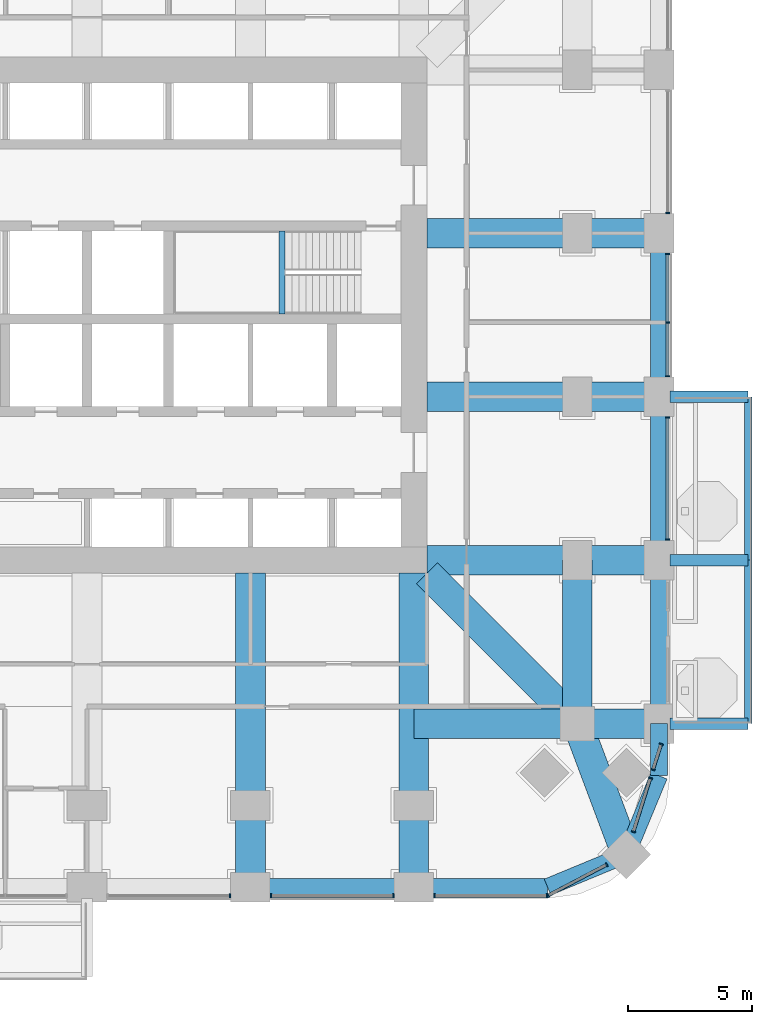
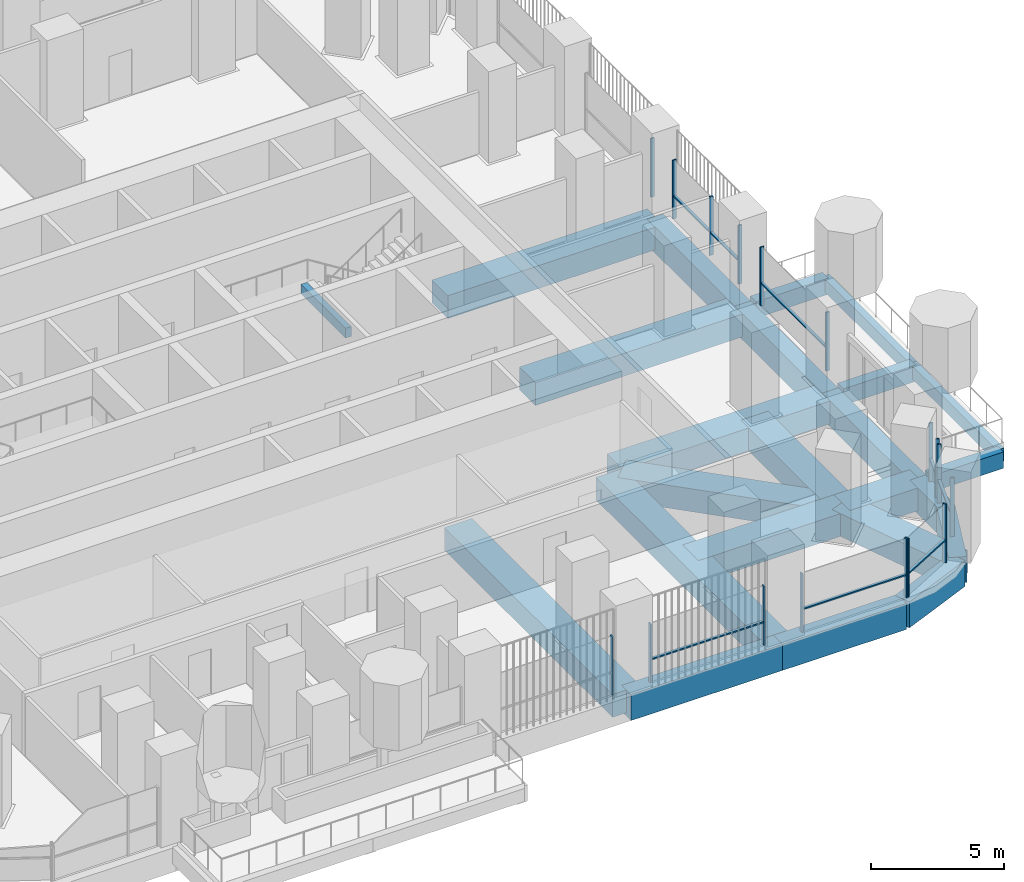
# One storey, part 5 of 21: 25 members, 24 beams, 9 elements without a shape of their own.
"""IFC4 building model written with IfcOpenShell, lengths in metres."""

from ifc_helpers import new_model, si_unit, direction, frame, origin, origin_2d, place, context, subcontext, project, spatial, rectangle, extrude, material, material_profile, profile_set, type_object, element, aggregate, save


model = new_model("IFC4")

# Units and contexts
model_context = context("Model", 3, precision=1e-05, world=origin(), true_north=direction((0.0, 1.0)))
body_context = subcontext(model_context, "Body", "Model", "MODEL_VIEW")
ifc_project = project(units=[si_unit("LENGTHUNIT", "METRE"), si_unit("AREAUNIT", "SQUARE_METRE"), si_unit("VOLUMEUNIT", "CUBIC_METRE"), si_unit("PLANEANGLEUNIT", "RADIAN"), si_unit("MASSUNIT", "GRAM", prefix="KILO")], contexts=[model_context])

# Site, building, storey
site_placement = place(None, origin())
site = spatial("IfcSite", under=ifc_project, at=site_placement, CompositionType="ELEMENT")
building_placement = place(site_placement, origin())
building = spatial("IfcBuilding", under=site, at=building_placement, Name="Cobogo Forest Laboratory Tower", CompositionType="ELEMENT")
storey_placement = place(building_placement, frame((0.0, 0.0, 90.60009765625)))
storey = spatial("IfcBuildingStorey", under=building, at=storey_placement, Name="L20", CompositionType="ELEMENT", Elevation=90.60009765625)

# Beams
ifc_material_1 = material(Name="Concrete HA-40 (C40/50)", Category="concrete")
ifc_material_profile_1 = material_profile(ifc_material_1, rectangle(XDim=0.449951171875, YDim=0.75, at=origin_2d()), Name="RC 450x750")
ifc_profile_set_1 = profile_set([ifc_material_profile_1], Name="Concrete HA-40 (C40/50)")
beam_type_1 = type_object("IfcBeamType", Name="Balcony cantilever beam 450x750", PredefinedType="BEAM", material=ifc_profile_set_1)
for number, where, z_axis, x_axis, name in (
    (1, (49.949951171875, 6.60009765625, -0.625), (1.0, 0.0, 0.0), (0.0, 1.0, 0.0), "CB1 BAL-E1-C1 L20"),
    (2, (49.949951171875, 13.199951171875, -0.625), (1.0, 0.0, 0.0), (0.0, 1.0, 0.0), "CB1 BAL-E1-C2 L20"),
    (3, (49.949951171875, 19.800048828125, -0.625), (1.0, 0.0, 0.0), (0.0, 1.0, 0.0), "CB1 BAL-E1-C3 L20"),
):
    element("IfcBeam", number, at=place(storey_placement, frame(where, z_axis=z_axis, x_axis=x_axis)), inside=storey, type_object=beam_type_1, Name=name, PredefinedType="BEAM", context=body_context, shape_type="SweptSolid", body=[
        extrude(rectangle(XDim=0.449951171875, YDim=0.75, at=origin_2d()), origin(), (0.0, 0.0, 1.0), 3.150146484375),
    ])
ifc_material_profile_2 = material_profile(ifc_material_1, rectangle(XDim=0.300048828125, YDim=0.60009765625, at=origin_2d()), Name="RC 300x600")
ifc_profile_set_2 = profile_set([ifc_material_profile_2], Name="Concrete HA-40 (C40/50)")
beam_type_2 = type_object("IfcBeamType", Name="Balcony edge beam 300x600", PredefinedType="BEAM", material=ifc_profile_set_2)
beam_1_placement = place(storey_placement, frame((53.10009765625, 6.60009765625, -0.550048828125), z_axis=(0.0, 1.0, 0.0), x_axis=(-1.0, 0.0, 0.0)))
element("IfcBeam", 4, at=beam_1_placement, inside=storey, type_object=beam_type_2, Name="BB1 BAL-E1-T1 L20", PredefinedType="BEAM", context=body_context, shape_type="SweptSolid", body=[
    extrude(rectangle(XDim=0.300048828125, YDim=0.60009765625, at=origin_2d()), origin(), (0.0, 0.0, 1.0), 6.599853515625),
])
beam_2_placement = place(storey_placement, frame((53.10009765625, 13.199951171875, -0.550048828125), z_axis=(0.0, 1.0, 0.0), x_axis=(-1.0, 0.0, 0.0)))
element("IfcBeam", 5, at=beam_2_placement, inside=storey, type_object=beam_type_2, Name="BB1 BAL-E1-T2 L20", PredefinedType="BEAM", context=body_context, shape_type="SweptSolid", body=[
    extrude(rectangle(XDim=0.300048828125, YDim=0.60009765625, at=origin_2d()), origin(), (0.0, 0.0, 1.0), 6.60009765625),
])
ifc_material_profile_3 = material_profile(ifc_material_1, rectangle(XDim=0.25, YDim=0.449951171875, at=origin_2d()), Name="RC 250x450")
ifc_profile_set_3 = profile_set([ifc_material_profile_3], Name="Concrete HA-40 (C40/50)")
beam_type_3 = type_object("IfcBeamType", Name="LB1 landing beam 250x450", PredefinedType="BEAM", material=ifc_profile_set_3)
beam_3_placement = place(storey_placement, frame((34.27001953125, 23.14990234375, 1.6748046875), z_axis=(0.0, 1.0, 0.0), x_axis=(-1.0, 0.0, 0.0)))
element("IfcBeam", 6, at=beam_3_placement, inside=storey, type_object=beam_type_3, Name="Landing beam ST2 L20", PredefinedType="BEAM", context=body_context, shape_type="SweptSolid", body=[
    extrude(rectangle(XDim=0.25, YDim=0.449951171875, at=origin_2d()), origin(), (0.0, 0.0, 1.0), 3.35009765625),
])
ifc_material_profile_4 = material_profile(ifc_material_1, rectangle(XDim=1.199951171875, YDim=1.050048828125, at=origin_2d()), Name="RC 1200x1050")
ifc_profile_set_4 = profile_set([ifc_material_profile_4], Name="Concrete HA-40 (C40/50)")
beam_type_4 = type_object("IfcBeamType", Name="Laboratory floor wide beam 1200x1050", PredefinedType="BEAM", material=ifc_profile_set_4)
for number, where, z_axis, x_axis, name in (
    (7, (33.0, 12.675048828125, -0.8251953125), (0.0, -1.0, 0.0), (1.0, 0.0, 0.0), "RB1 R-6-S L20"),
    (8, (39.60009765625, 12.675048828125, -0.8251953125), (0.0, -1.0, 0.0), (1.0, 0.0, 0.0), "RB1 R-7-S L20"),
):
    element("IfcBeam", number, at=place(storey_placement, frame(where, z_axis=z_axis, x_axis=x_axis)), inside=storey, type_object=beam_type_4, Name=name, PredefinedType="BEAM", context=body_context, shape_type="SweptSolid", body=[
        extrude(rectangle(XDim=1.199951171875, YDim=1.050048828125, at=origin_2d()), origin(), (0.0, 0.0, 1.0), 12.675048828125),
    ])
for number, where, z_axis, x_axis, name in (
    (9, (40.125, 13.199951171875, -0.8251953125), (1.0, 0.0, 0.0), (0.0, 1.0, 0.0), "RB1 R-C-E L20"),
    (10, (40.125, 19.800048828125, -0.8251953125), (1.0, 0.0, 0.0), (0.0, 1.0, 0.0), "RB1 R-D-E L20"),
    (11, (40.125, 26.39990234375, -0.8251953125), (1.0, 0.0, 0.0), (0.0, 1.0, 0.0), "RB1 R-E-E L20"),
):
    element("IfcBeam", number, at=place(storey_placement, frame(where, z_axis=z_axis, x_axis=x_axis)), inside=storey, type_object=beam_type_4, Name=name, PredefinedType="BEAM", context=body_context, shape_type="SweptSolid", body=[
        extrude(rectangle(XDim=1.199951171875, YDim=1.050048828125, at=origin_2d()), origin(), (0.0, 0.0, 1.0), 9.375),
    ])
beam_4_placement = place(storey_placement, frame((46.199951171875, 6.60009765625, -0.8251953125), z_axis=(0.0, 1.0, 0.0), x_axis=(-1.0, 0.0, 0.0)))
element("IfcBeam", 12, at=beam_4_placement, inside=storey, type_object=beam_type_4, Name="RB1 G-SE-XC L20", PredefinedType="BEAM", context=body_context, shape_type="SweptSolid", body=[
    extrude(rectangle(XDim=1.199951171875, YDim=1.050048828125, at=origin_2d()), origin(), (0.0, 0.0, 1.0), 6.599853515625),
])
beam_5_placement = place(storey_placement, frame((49.5, 6.60009765625, -0.8251953125), z_axis=(-1.0, 0.0, 0.0), x_axis=(0.0, -1.0, 0.0)))
element("IfcBeam", 13, at=beam_5_placement, inside=storey, type_object=beam_type_4, Name="RB1 G-SE-YF L20", PredefinedType="BEAM", context=body_context, shape_type="SweptSolid", body=[
    extrude(rectangle(XDim=1.199951171875, YDim=1.050048828125, at=origin_2d()), origin(), (0.0, 0.0, 1.0), 3.300048828125),
])
beam_6_placement = place(storey_placement, frame((46.199951171875, 6.60009765625, -0.8251953125), z_axis=(-1.0, 0.0, 0.0), x_axis=(0.0, -1.0, 0.0)))
element("IfcBeam", 14, at=beam_6_placement, inside=storey, type_object=beam_type_4, Name="RB1 G-SE-YC L20", PredefinedType="BEAM", context=body_context, shape_type="SweptSolid", body=[
    extrude(rectangle(XDim=1.199951171875, YDim=1.050048828125, at=origin_2d()), origin(), (0.0, 0.0, 1.0), 6.599853515625),
])
beam_7_placement = place(storey_placement, frame((48.181884765625, 1.318115234375, -0.8251953125), z_axis=(-0.351308391925, 0.936259800356, 0.0), x_axis=(-0.936259800356, -0.351308391925, 0.0)))
element("IfcBeam", 15, at=beam_7_placement, inside=storey, type_object=beam_type_4, Name="RB1 G-SE-D1 L20", PredefinedType="BEAM", context=body_context, shape_type="SweptSolid", body=[
    extrude(rectangle(XDim=1.199951171875, YDim=1.050048828125, at=origin_2d()), origin(), (0.0, 0.0, 1.0), 5.6416015625),
])
beam_8_placement = place(storey_placement, frame((46.199951171875, 6.60009765625, -0.8251953125), z_axis=(-0.707106781187, 0.707106781187, 0.0), x_axis=(-0.707106781187, -0.707106781187, 0.0)))
element("IfcBeam", 16, at=beam_8_placement, inside=storey, type_object=beam_type_4, Name="RB1 G-SE-D2 L20", PredefinedType="BEAM", context=body_context, shape_type="SweptSolid", body=[
    extrude(rectangle(XDim=1.199951171875, YDim=1.050048828125, at=origin_2d()), origin(), (0.0, 0.0, 1.0), 8.59130859375),
])

# Curtain wall, member
ifc_material_2 = material(Name="Aluminium curtain wall", Category="aluminium")
curtain_wall_type = type_object("IfcCurtainWallType", Name="CW-1 unitised curtain wall, clear glazing, laboratory floors zones A and B", PredefinedType="USERDEFINED", material=ifc_material_2)
curtain_wall_1_placement = place(storey_placement, origin())
curtain_wall_1 = element("IfcCurtainWall", 17, at=curtain_wall_1_placement, inside=storey, type_object=curtain_wall_type, Name="Curtain wall 04 L20", ObjectType="UNITISED CURTAIN WALL", PredefinedType="USERDEFINED")
ifc_material_3 = material(Name="Aluminium mullion", Category="aluminium")
ifc_material_profile_5 = material_profile(ifc_material_3, rectangle(XDim=0.06005859375, YDim=0.159912109375, at=origin_2d()), Name="AL 60x160")
ifc_profile_set_5 = profile_set([ifc_material_profile_5], Name="Aluminium mullion")
member_type_1 = type_object("IfcMemberType", Name="MU-1 aluminium mullion 60x160", PredefinedType="MULLION", material=ifc_profile_set_5)
member_1_placement = place(storey_placement, frame((32.169921875, -0.35009765625, 0.0), z_axis=(0.0, 0.0, 1.0), x_axis=(1.0, 0.0, 0.0)))
member_1 = element("IfcMember", 18, at=member_1_placement, type_object=member_type_1, Name="CW-1 mullion 2", PredefinedType="MULLION", context=body_context, shape_type="SweptSolid", body=[
    extrude(rectangle(XDim=0.06005859375, YDim=0.159912109375, at=origin_2d()), origin(), (0.0, 0.0, 1.0), 2.699951171875),
])
aggregate(curtain_wall_1, [member_1])

# Curtain wall, members
curtain_wall_2_placement = place(storey_placement, origin())
curtain_wall_2 = element("IfcCurtainWall", 19, at=curtain_wall_2_placement, inside=storey, type_object=curtain_wall_type, Name="Curtain wall 05 L20", ObjectType="UNITISED CURTAIN WALL", PredefinedType="USERDEFINED")
member_2_placement = place(storey_placement, frame((33.830078125, -0.35009765625, 0.0), z_axis=(0.0, 0.0, 1.0), x_axis=(1.0, 0.0, 0.0)))
member_2 = element("IfcMember", 20, at=member_2_placement, type_object=member_type_1, Name="CW-1 mullion 1", PredefinedType="MULLION", context=body_context, shape_type="SweptSolid", body=[
    extrude(rectangle(XDim=0.06005859375, YDim=0.159912109375, at=origin_2d()), origin(), (0.0, 0.0, 1.0), 2.699951171875),
])
member_3_placement = place(storey_placement, frame((38.77001953125, -0.35009765625, 0.0), z_axis=(0.0, 0.0, 1.0), x_axis=(1.0, 0.0, 0.0)))
member_3 = element("IfcMember", 21, at=member_3_placement, type_object=member_type_1, Name="CW-1 mullion 2", PredefinedType="MULLION", context=body_context, shape_type="SweptSolid", body=[
    extrude(rectangle(XDim=0.06005859375, YDim=0.159912109375, at=origin_2d()), origin(), (0.0, 0.0, 1.0), 2.699951171875),
])

curtain_wall_3_placement = place(storey_placement, origin())
curtain_wall_3 = element("IfcCurtainWall", 22, at=curtain_wall_3_placement, inside=storey, type_object=curtain_wall_type, Name="Curtain wall 06 L20", ObjectType="UNITISED CURTAIN WALL", PredefinedType="USERDEFINED")
member_4_placement = place(storey_placement, frame((40.429931640625, -0.35009765625, 0.0), z_axis=(0.0, 0.0, 1.0), x_axis=(1.0, 0.0, 0.0)))
member_4 = element("IfcMember", 23, at=member_4_placement, type_object=member_type_1, Name="CW-1 mullion 1", PredefinedType="MULLION", context=body_context, shape_type="SweptSolid", body=[
    extrude(rectangle(XDim=0.06005859375, YDim=0.159912109375, at=origin_2d()), origin(), (0.0, 0.0, 1.0), 2.699951171875),
])
member_5_placement = place(storey_placement, frame((44.969970703125, -0.35009765625, 0.0), z_axis=(0.0, 0.0, 1.0), x_axis=(1.0, 0.0, 0.0)))
member_5 = element("IfcMember", 24, at=member_5_placement, type_object=member_type_1, Name="CW-1 mullion 2", PredefinedType="MULLION", context=body_context, shape_type="SweptSolid", body=[
    extrude(rectangle(XDim=0.06005859375, YDim=0.159912109375, at=origin_2d()), origin(), (0.0, 0.0, 1.0), 2.699951171875),
])

curtain_wall_4_placement = place(storey_placement, origin())
curtain_wall_4 = element("IfcCurtainWall", 25, at=curtain_wall_4_placement, inside=storey, type_object=curtain_wall_type, Name="Curtain wall 07 L20", ObjectType="UNITISED CURTAIN WALL", PredefinedType="USERDEFINED")
member_6_placement = place(storey_placement, frame((45.026611328125, -0.336181640625, 0.0), z_axis=(0.0, 0.0, 1.0), x_axis=(0.885686540666, 0.464283697413, 0.0)))
member_6 = element("IfcMember", 26, at=member_6_placement, type_object=member_type_1, Name="CW-1 mullion 1", PredefinedType="MULLION", context=body_context, shape_type="SweptSolid", body=[
    extrude(rectangle(XDim=0.06005859375, YDim=0.159912109375, at=origin_2d()), origin(), (0.0, 0.0, 1.0), 2.699951171875),
])
member_7_placement = place(storey_placement, frame((47.38525390625, 0.900390625, 0.0), z_axis=(0.0, 0.0, 1.0), x_axis=(0.885686540666, 0.464283697413, 0.0)))
member_7 = element("IfcMember", 27, at=member_7_placement, type_object=member_type_1, Name="CW-1 mullion 2", PredefinedType="MULLION", context=body_context, shape_type="SweptSolid", body=[
    extrude(rectangle(XDim=0.06005859375, YDim=0.159912109375, at=origin_2d()), origin(), (0.0, 0.0, 1.0), 2.699951171875),
])

curtain_wall_5_placement = place(storey_placement, origin())
curtain_wall_5 = element("IfcCurtainWall", 28, at=curtain_wall_5_placement, inside=storey, type_object=curtain_wall_type, Name="Curtain wall 08 L20", ObjectType="UNITISED CURTAIN WALL", PredefinedType="USERDEFINED")
member_8_placement = place(storey_placement, frame((48.47265625, 2.23876953125, 0.0), z_axis=(0.0, 0.0, 1.0), x_axis=(0.301135343623, 0.953581409645, 0.0)))
member_8 = element("IfcMember", 29, at=member_8_placement, type_object=member_type_1, Name="CW-1 mullion 1", PredefinedType="MULLION", context=body_context, shape_type="SweptSolid", body=[
    extrude(rectangle(XDim=0.06005859375, YDim=0.159912109375, at=origin_2d()), origin(), (0.0, 0.0, 1.0), 2.699951171875),
])
member_9_placement = place(storey_placement, frame((49.154296875, 4.39697265625, 0.0), z_axis=(0.0, 0.0, 1.0), x_axis=(0.301135343623, 0.953581409645, 0.0)))
member_9 = element("IfcMember", 30, at=member_9_placement, type_object=member_type_1, Name="CW-1 mullion 2", PredefinedType="MULLION", context=body_context, shape_type="SweptSolid", body=[
    extrude(rectangle(XDim=0.06005859375, YDim=0.159912109375, at=origin_2d()), origin(), (0.0, 0.0, 1.0), 2.699951171875),
])

curtain_wall_6_placement = place(storey_placement, origin())
curtain_wall_6 = element("IfcCurtainWall", 31, at=curtain_wall_6_placement, inside=storey, type_object=curtain_wall_type, Name="Curtain wall 09 L20", ObjectType="UNITISED CURTAIN WALL", PredefinedType="USERDEFINED")
member_10_placement = place(storey_placement, frame((49.2646484375, 4.74658203125, 0.0), z_axis=(0.0, 0.0, 1.0), x_axis=(0.3011355018, 0.953581359694, 0.0)))
member_10 = element("IfcMember", 32, at=member_10_placement, type_object=member_type_1, Name="CW-1 mullion 1", PredefinedType="MULLION", context=body_context, shape_type="SweptSolid", body=[
    extrude(rectangle(XDim=0.06005859375, YDim=0.159912109375, at=origin_2d()), origin(), (0.0, 0.0, 1.0), 2.699951171875),
])
member_11_placement = place(storey_placement, frame((49.58837890625, 5.771484375, 0.0), z_axis=(0.0, 0.0, 1.0), x_axis=(0.3011355018, 0.953581359694, 0.0)))
member_11 = element("IfcMember", 33, at=member_11_placement, type_object=member_type_1, Name="CW-1 mullion 2", PredefinedType="MULLION", context=body_context, shape_type="SweptSolid", body=[
    extrude(rectangle(XDim=0.06005859375, YDim=0.159912109375, at=origin_2d()), origin(), (0.0, 0.0, 1.0), 2.699951171875),
])

curtain_wall_7_placement = place(storey_placement, origin())
curtain_wall_7 = element("IfcCurtainWall", 34, at=curtain_wall_7_placement, inside=storey, type_object=curtain_wall_type, Name="Curtain wall 11 L20", ObjectType="UNITISED CURTAIN WALL", PredefinedType="USERDEFINED")
member_12_placement = place(storey_placement, frame((49.85009765625, 14.030029296875, 0.0), z_axis=(0.0, 0.0, 1.0), x_axis=(0.0, 1.0, 0.0)))
member_12 = element("IfcMember", 35, at=member_12_placement, type_object=member_type_1, Name="CW-1 mullion 1", PredefinedType="MULLION", context=body_context, shape_type="SweptSolid", body=[
    extrude(rectangle(XDim=0.06005859375, YDim=0.159912109375, at=origin_2d()), origin(), (0.0, 0.0, 1.0), 2.699951171875),
])
member_13_placement = place(storey_placement, frame((49.85009765625, 18.969970703125, 0.0), z_axis=(0.0, 0.0, 1.0), x_axis=(0.0, 1.0, 0.0)))
member_13 = element("IfcMember", 36, at=member_13_placement, type_object=member_type_1, Name="CW-1 mullion 2", PredefinedType="MULLION", context=body_context, shape_type="SweptSolid", body=[
    extrude(rectangle(XDim=0.06005859375, YDim=0.159912109375, at=origin_2d()), origin(), (0.0, 0.0, 1.0), 2.699951171875),
])

curtain_wall_8_placement = place(storey_placement, origin())
curtain_wall_8 = element("IfcCurtainWall", 37, at=curtain_wall_8_placement, inside=storey, type_object=curtain_wall_type, Name="Curtain wall 12 L20", ObjectType="UNITISED CURTAIN WALL", PredefinedType="USERDEFINED")
member_14_placement = place(storey_placement, frame((49.85009765625, 20.6298828125, 0.0), z_axis=(0.0, 0.0, 1.0), x_axis=(0.0, 1.0, 0.0)))
member_14 = element("IfcMember", 38, at=member_14_placement, type_object=member_type_1, Name="CW-1 mullion 1", PredefinedType="MULLION", context=body_context, shape_type="SweptSolid", body=[
    extrude(rectangle(XDim=0.06005859375, YDim=0.159912109375, at=origin_2d()), origin(), (0.0, 0.0, 1.0), 2.699951171875),
])
member_15_placement = place(storey_placement, frame((49.85009765625, 22.800048828125, 0.0), z_axis=(0.0, 0.0, 1.0), x_axis=(0.0, 1.0, 0.0)))
member_15 = element("IfcMember", 39, at=member_15_placement, type_object=member_type_1, Name="CW-1 mullion 2", PredefinedType="MULLION", context=body_context, shape_type="SweptSolid", body=[
    extrude(rectangle(XDim=0.06005859375, YDim=0.159912109375, at=origin_2d()), origin(), (0.0, 0.0, 1.0), 2.699951171875),
])
member_16_placement = place(storey_placement, frame((49.85009765625, 25.570068359375, 0.0), z_axis=(0.0, 0.0, 1.0), x_axis=(0.0, 1.0, 0.0)))
member_16 = element("IfcMember", 40, at=member_16_placement, type_object=member_type_1, Name="CW-1 mullion 3", PredefinedType="MULLION", context=body_context, shape_type="SweptSolid", body=[
    extrude(rectangle(XDim=0.06005859375, YDim=0.159912109375, at=origin_2d()), origin(), (0.0, 0.0, 1.0), 2.699951171875),
])

# Curtain wall, member
curtain_wall_9_placement = place(storey_placement, origin())
curtain_wall_9 = element("IfcCurtainWall", 41, at=curtain_wall_9_placement, inside=storey, type_object=curtain_wall_type, Name="Curtain wall 13 L20", ObjectType="UNITISED CURTAIN WALL", PredefinedType="USERDEFINED")
member_17_placement = place(storey_placement, frame((49.85009765625, 27.22998046875, 0.0), z_axis=(0.0, 0.0, 1.0), x_axis=(0.0, 1.0, 0.0)))
member_17 = element("IfcMember", 42, at=member_17_placement, type_object=member_type_1, Name="CW-1 mullion 1", PredefinedType="MULLION", context=body_context, shape_type="SweptSolid", body=[
    extrude(rectangle(XDim=0.06005859375, YDim=0.159912109375, at=origin_2d()), origin(), (0.0, 0.0, 1.0), 2.699951171875),
])
aggregate(curtain_wall_9, [member_17])

# Beams
ifc_material_profile_6 = material_profile(ifc_material_1, rectangle(XDim=0.699951171875, YDim=1.199951171875, at=origin_2d()), Name="RC 700x1200")
ifc_profile_set_6 = profile_set([ifc_material_profile_6], Name="Concrete HA-40 (C40/50)")
beam_type_5 = type_object("IfcBeamType", Name="Perimeter edge beam 700x1200", PredefinedType="BEAM", material=ifc_profile_set_6)
beam_9_placement = place(storey_placement, frame((33.0, 0.0, -0.900146484375), z_axis=(1.0, 0.0, 0.0), x_axis=(0.0, 1.0, 0.0)))
element("IfcBeam", 43, at=beam_9_placement, inside=storey, type_object=beam_type_5, Name="EB1 E-S4 L20", PredefinedType="BEAM", context=body_context, shape_type="SweptSolid", body=[
    extrude(rectangle(XDim=0.699951171875, YDim=1.199951171875, at=origin_2d()), origin(), (0.0, 0.0, 1.0), 6.60009765625),
])
beam_10_placement = place(storey_placement, frame((49.5, 6.60009765625, -0.900146484375), z_axis=(0.0, 1.0, 0.0), x_axis=(-1.0, 0.0, 0.0)))
element("IfcBeam", 44, at=beam_10_placement, inside=storey, type_object=beam_type_5, Name="EB1 E-E1 L20", PredefinedType="BEAM", context=body_context, shape_type="SweptSolid", body=[
    extrude(rectangle(XDim=0.699951171875, YDim=1.199951171875, at=origin_2d()), origin(), (0.0, 0.0, 1.0), 6.599853515625),
])
beam_11_placement = place(storey_placement, frame((49.5, 13.199951171875, -0.900146484375), z_axis=(0.0, 1.0, 0.0), x_axis=(-1.0, 0.0, 0.0)))
element("IfcBeam", 45, at=beam_11_placement, inside=storey, type_object=beam_type_5, Name="EB1 E-E2 L20", PredefinedType="BEAM", context=body_context, shape_type="SweptSolid", body=[
    extrude(rectangle(XDim=0.699951171875, YDim=1.199951171875, at=origin_2d()), origin(), (0.0, 0.0, 1.0), 6.60009765625),
])
beam_12_placement = place(storey_placement, frame((49.5, 19.800048828125, -0.900146484375), z_axis=(0.0, 1.0, 0.0), x_axis=(-1.0, 0.0, 0.0)))
element("IfcBeam", 46, at=beam_12_placement, inside=storey, type_object=beam_type_5, Name="EB1 E-E3 L20", PredefinedType="BEAM", context=body_context, shape_type="SweptSolid", body=[
    extrude(rectangle(XDim=0.699951171875, YDim=1.199951171875, at=origin_2d()), origin(), (0.0, 0.0, 1.0), 6.599853515625),
])
beam_13_placement = place(storey_placement, frame((39.60009765625, 0.0, -0.900146484375), z_axis=(1.0, 0.0, 0.0), x_axis=(0.0, 1.0, 0.0)))
element("IfcBeam", 47, at=beam_13_placement, inside=storey, type_object=beam_type_5, Name="EB1 E-SES1 L20", PredefinedType="BEAM", context=body_context, shape_type="SweptSolid", body=[
    extrude(rectangle(XDim=0.699951171875, YDim=1.199951171875, at=origin_2d()), origin(), (0.0, 0.0, 1.0), 5.39990234375),
])
beam_14_placement = place(storey_placement, frame((45.0, 0.0, -0.900146484375), z_axis=(0.923865631356, 0.382716990999, 0.0), x_axis=(-0.382716990999, 0.923865631356, 0.0)))
element("IfcBeam", 48, at=beam_14_placement, inside=storey, type_object=beam_type_5, Name="EB1 E-SES2 L20", PredefinedType="BEAM", context=body_context, shape_type="SweptSolid", body=[
    extrude(rectangle(XDim=0.699951171875, YDim=1.199951171875, at=origin_2d()), origin(), (0.0, 0.0, 1.0), 3.444091796875),
])
beam_15_placement = place(storey_placement, frame((49.5, 6.60009765625, -0.900146484375), z_axis=(0.0, -1.0, 0.0), x_axis=(1.0, 0.0, 0.0)))
element("IfcBeam", 49, at=beam_15_placement, inside=storey, type_object=beam_type_5, Name="EB1 E-SEE1 L20", PredefinedType="BEAM", context=body_context, shape_type="SweptSolid", body=[
    extrude(rectangle(XDim=0.699951171875, YDim=1.199951171875, at=origin_2d()), origin(), (0.0, 0.0, 1.0), 2.10009765625),
])
beam_16_placement = place(storey_placement, frame((49.5, 4.5, -0.900146484375), z_axis=(-0.382716990999, -0.923865631356, 0.0), x_axis=(0.923865631356, -0.382716990999, 0.0)))
element("IfcBeam", 50, at=beam_16_placement, inside=storey, type_object=beam_type_5, Name="EB1 E-SEE2 L20", PredefinedType="BEAM", context=body_context, shape_type="SweptSolid", body=[
    extrude(rectangle(XDim=0.699951171875, YDim=1.199951171875, at=origin_2d()), origin(), (0.0, 0.0, 1.0), 3.444091796875),
])

# Member
ifc_material_4 = material(Name="Aluminium transom", Category="aluminium")
ifc_material_profile_7 = material_profile(ifc_material_4, rectangle(XDim=0.1201171875, YDim=0.06005859375, at=origin_2d()), Name="AL 60x120")
ifc_profile_set_7 = profile_set([ifc_material_profile_7], Name="Aluminium transom")
member_type_2 = type_object("IfcMemberType", Name="TR-1 aluminium transom 60x120", PredefinedType="USERDEFINED", material=ifc_profile_set_7)
member_18_placement = place(storey_placement, frame((33.860107421875, -0.35009765625, 1.0498046875), z_axis=(1.0, 0.0, 0.0), x_axis=(0.0, 1.0, 0.0)))
member_18 = element("IfcMember", 51, at=member_18_placement, type_object=member_type_2, Name="CW-1 transom 1.1", ObjectType="TRANSOM", PredefinedType="USERDEFINED", context=body_context, shape_type="SweptSolid", body=[
    extrude(rectangle(XDim=0.1201171875, YDim=0.06005859375, at=origin_2d()), origin(), (0.0, 0.0, 1.0), 4.8798828125),
])

aggregate(curtain_wall_2, [member_2, member_3, member_18])

member_19_placement = place(storey_placement, frame((40.4599609375, -0.35009765625, 1.0498046875), z_axis=(1.0, 0.0, 0.0), x_axis=(0.0, 1.0, 0.0)))
member_19 = element("IfcMember", 52, at=member_19_placement, type_object=member_type_2, Name="CW-1 transom 1.1", ObjectType="TRANSOM", PredefinedType="USERDEFINED", context=body_context, shape_type="SweptSolid", body=[
    extrude(rectangle(XDim=0.1201171875, YDim=0.06005859375, at=origin_2d()), origin(), (0.0, 0.0, 1.0), 4.47998046875),
])

aggregate(curtain_wall_3, [member_4, member_5, member_19])

member_20_placement = place(storey_placement, frame((45.05322265625, -0.322021484375, 1.0498046875), z_axis=(0.885690136655, 0.464276837493, 0.0), x_axis=(-0.464276837493, 0.885690136655, 0.0)))
member_20 = element("IfcMember", 53, at=member_20_placement, type_object=member_type_2, Name="CW-1 transom 1.1", ObjectType="TRANSOM", PredefinedType="USERDEFINED", context=body_context, shape_type="SweptSolid", body=[
    extrude(rectangle(XDim=0.1201171875, YDim=0.06005859375, at=origin_2d()), origin(), (0.0, 0.0, 1.0), 2.60302734375),
])

aggregate(curtain_wall_4, [member_6, member_7, member_20])

member_21_placement = place(storey_placement, frame((48.481689453125, 2.267333984375, 1.0498046875), z_axis=(0.301163185322, 0.953572616955, 0.0), x_axis=(-0.953572616955, 0.301163185322, 0.0)))
member_21 = element("IfcMember", 54, at=member_21_placement, type_object=member_type_2, Name="CW-1 transom 1.1", ObjectType="TRANSOM", PredefinedType="USERDEFINED", context=body_context, shape_type="SweptSolid", body=[
    extrude(rectangle(XDim=0.1201171875, YDim=0.06005859375, at=origin_2d()), origin(), (0.0, 0.0, 1.0), 2.203369140625),
])

aggregate(curtain_wall_5, [member_8, member_9, member_21])

member_22_placement = place(storey_placement, frame((49.273681640625, 4.775390625, 1.0498046875), z_axis=(0.301315651749, 0.953524450662, 0.0), x_axis=(-0.953524450662, 0.301315651749, 0.0)))
member_22 = element("IfcMember", 55, at=member_22_placement, type_object=member_type_2, Name="CW-1 transom 1.1", ObjectType="TRANSOM", PredefinedType="USERDEFINED", context=body_context, shape_type="SweptSolid", body=[
    extrude(rectangle(XDim=0.1201171875, YDim=0.06005859375, at=origin_2d()), origin(), (0.0, 0.0, 1.0), 1.014404296875),
])

aggregate(curtain_wall_6, [member_10, member_11, member_22])

member_23_placement = place(storey_placement, frame((49.85009765625, 14.06005859375, 1.0498046875), z_axis=(0.0, 1.0, 0.0), x_axis=(-1.0, 0.0, 0.0)))
member_23 = element("IfcMember", 56, at=member_23_placement, type_object=member_type_2, Name="CW-1 transom 1.1", ObjectType="TRANSOM", PredefinedType="USERDEFINED", context=body_context, shape_type="SweptSolid", body=[
    extrude(rectangle(XDim=0.1201171875, YDim=0.06005859375, at=origin_2d()), origin(), (0.0, 0.0, 1.0), 4.8798828125),
])

aggregate(curtain_wall_7, [member_12, member_13, member_23])

member_24_placement = place(storey_placement, frame((49.85009765625, 20.659912109375, 1.0498046875), z_axis=(0.0, 1.0, 0.0), x_axis=(-1.0, 0.0, 0.0)))
member_24 = element("IfcMember", 57, at=member_24_placement, type_object=member_type_2, Name="CW-1 transom 1.1", ObjectType="TRANSOM", PredefinedType="USERDEFINED", context=body_context, shape_type="SweptSolid", body=[
    extrude(rectangle(XDim=0.1201171875, YDim=0.06005859375, at=origin_2d()), origin(), (0.0, 0.0, 1.0), 2.110107421875),
])

member_25_placement = place(storey_placement, frame((49.85009765625, 22.830078125, 1.0498046875), z_axis=(0.0, 1.0, 0.0), x_axis=(-1.0, 0.0, 0.0)))
member_25 = element("IfcMember", 58, at=member_25_placement, type_object=member_type_2, Name="CW-1 transom 2.1", ObjectType="TRANSOM", PredefinedType="USERDEFINED", context=body_context, shape_type="SweptSolid", body=[
    extrude(rectangle(XDim=0.1201171875, YDim=0.06005859375, at=origin_2d()), origin(), (0.0, 0.0, 1.0), 2.7099609375),
])

aggregate(curtain_wall_8, [member_14, member_15, member_16, member_24, member_25])

save(model, "model.ifc")
